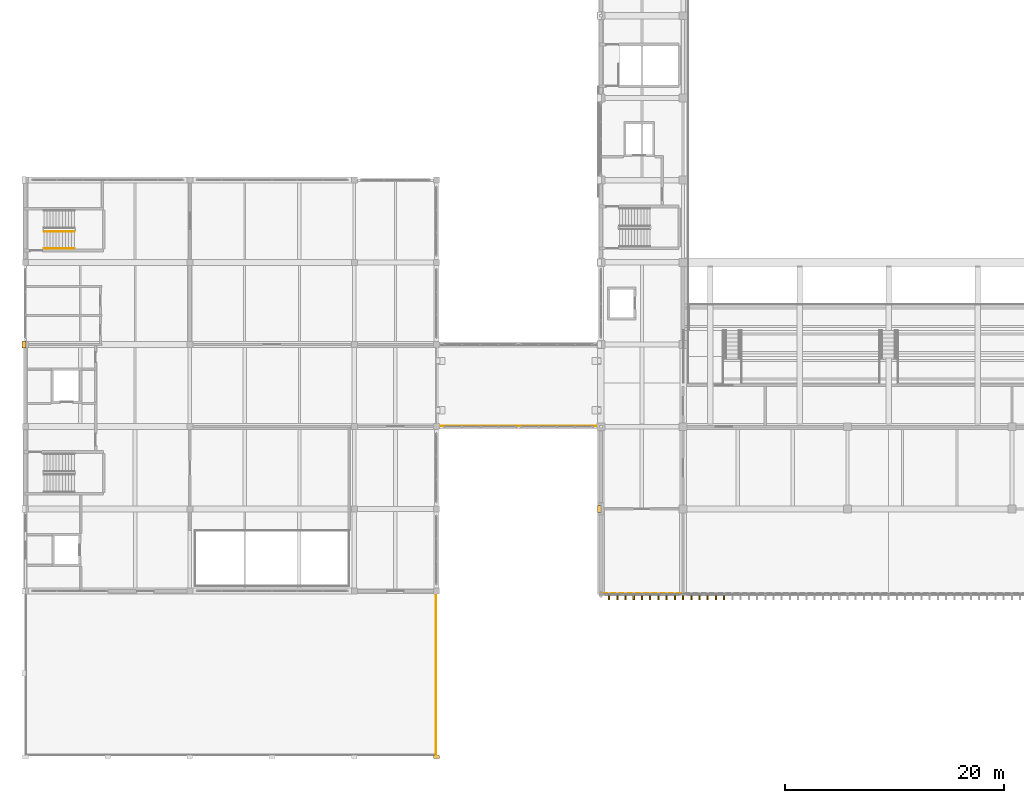
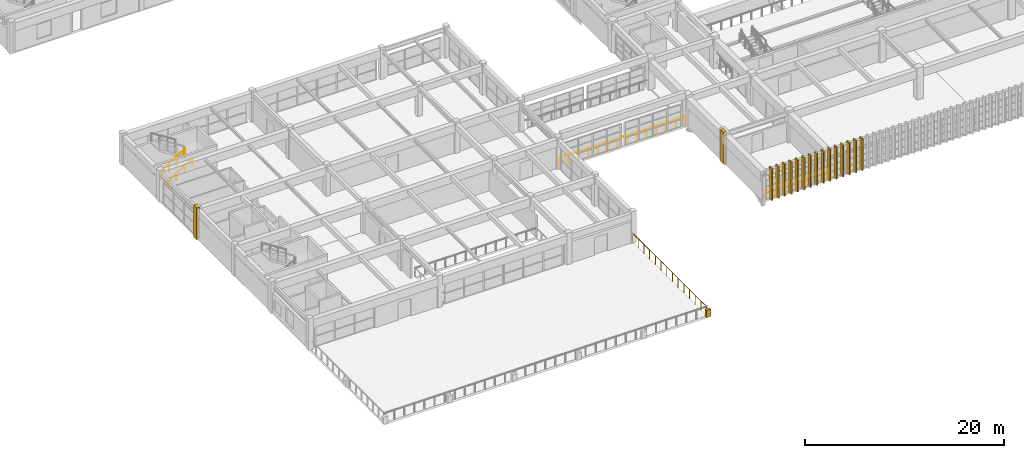
# One storey, part 91 of 101: 18 coverings, 5 railings.
"""IFC4 building model written with IfcOpenShell, lengths in metres."""

from ifc_helpers import new_model, si_unit, direction, frame, origin, origin_2d, place, context, subcontext, project, spatial, rectangle, circle, extrude, material, layer, layer_set, type_object, element, save


model = new_model("IFC4")

# Units and contexts
model_context = context("Model", 3, precision=1e-05, world=origin(), true_north=direction((0.0, 1.0)))
body_context = subcontext(model_context, "Body", "Model", "MODEL_VIEW")
ifc_project = project(units=[si_unit("LENGTHUNIT", "METRE"), si_unit("AREAUNIT", "SQUARE_METRE"), si_unit("VOLUMEUNIT", "CUBIC_METRE"), si_unit("PLANEANGLEUNIT", "RADIAN"), si_unit("MASSUNIT", "GRAM", prefix="KILO")], contexts=[model_context])

# Site, building, storey
site_placement = place(None, origin())
site = spatial("IfcSite", under=ifc_project, at=site_placement, CompositionType="ELEMENT")
building_placement = place(site_placement, origin())
building = spatial("IfcBuilding", under=site, at=building_placement, Name="Qasida Concert Hall", CompositionType="ELEMENT")
storey_placement = place(building_placement, frame((0.0, 0.0, 13.199951171875)))
storey = spatial("IfcBuildingStorey", under=building, at=storey_placement, Name="L03", CompositionType="ELEMENT", Elevation=13.199951171875)

# Coverings
ifc_material_1 = material(Name="Fluted ochre Lebanese limestone and patinated bronze fin", Category="masonry")
ifc_layer_1 = layer(ifc_material_1, 0.52001953125, Name="Fluted ochre Lebanese limestone and patinated bronze fin")
ifc_layer_set_1 = layer_set([ifc_layer_1], Name="Fluted ochre Lebanese limestone and patinated bronze fin")
covering_type_1 = type_object("IfcCoveringType", Name="CV-FIN-520", PredefinedType="CLADDING", material=ifc_layer_set_1)
for number, where, z_axis, x_axis, name in (
    (1, (53.25, 14.4599609375, 0.0), (0.0, 0.0, 1.0), (1.0, 0.0, 0.0), "L03 fluted facade fin FN-001"),
    (2, (54.0, 14.4599609375, 0.0), (0.0, 0.0, 1.0), (1.0, 0.0, 0.0), "L03 fluted facade fin FN-002"),
    (3, (54.75, 14.4599609375, 0.0), (0.0, 0.0, 1.0), (1.0, 0.0, 0.0), "L03 fluted facade fin FN-003"),
    (4, (55.5, 14.4599609375, 0.0), (0.0, 0.0, 1.0), (1.0, 0.0, 0.0), "L03 fluted facade fin FN-004"),
    (5, (56.25, 14.4599609375, 0.0), (0.0, 0.0, 1.0), (1.0, 0.0, 0.0), "L03 fluted facade fin FN-005"),
    (6, (57.0, 14.4599609375, 0.0), (0.0, 0.0, 1.0), (1.0, 0.0, 0.0), "L03 fluted facade fin FN-006"),
    (7, (57.75, 14.4599609375, 0.0), (0.0, 0.0, 1.0), (1.0, 0.0, 0.0), "L03 fluted facade fin FN-007"),
    (8, (58.5, 14.4599609375, 0.0), (0.0, 0.0, 1.0), (1.0, 0.0, 0.0), "L03 fluted facade fin FN-008"),
    (9, (59.25, 14.4599609375, 0.0), (0.0, 0.0, 1.0), (1.0, 0.0, 0.0), "L03 fluted facade fin FN-009"),
    (10, (60.0, 14.4599609375, 0.0), (0.0, 0.0, 1.0), (1.0, 0.0, 0.0), "L03 fluted facade fin FN-010"),
    (11, (60.75, 14.4599609375, 0.0), (0.0, 0.0, 1.0), (1.0, 0.0, 0.0), "L03 fluted facade fin FN-011"),
    (12, (61.5, 14.4599609375, 0.0), (0.0, 0.0, 1.0), (1.0, 0.0, 0.0), "L03 fluted facade fin FN-012"),
    (13, (62.25, 14.4599609375, 0.0), (0.0, 0.0, 1.0), (1.0, 0.0, 0.0), "L03 fluted facade fin FN-013"),
    (14, (63.0, 14.4599609375, 0.0), (0.0, 0.0, 1.0), (1.0, 0.0, 0.0), "L03 fluted facade fin FN-014"),
    (15, (63.75, 14.4599609375, 0.0), (0.0, 0.0, 1.0), (1.0, 0.0, 0.0), "L03 fluted facade fin FN-015"),
):
    element("IfcCovering", number, at=place(storey_placement, frame(where, z_axis=z_axis, x_axis=x_axis)), inside=storey, type_object=covering_type_1, Name=name, PredefinedType="CLADDING", context=body_context, shape_type="SweptSolid", body=[
        extrude(rectangle(XDim=0.139892578125, YDim=0.52001953125, at=origin_2d()), origin(), (0.0, 0.0, 1.0), 3.89990234375),
    ])
ifc_material_2 = material(Name="Projecting fluted Lebanese limestone Art Deco pilaster", Category="masonry")
ifc_layer_2 = layer(ifc_material_2, 0.35009765625, Name="Projecting fluted Lebanese limestone Art Deco pilaster")
ifc_layer_set_2 = layer_set([ifc_layer_2], Name="Projecting fluted Lebanese limestone Art Deco pilaster")
covering_type_2 = type_object("IfcCoveringType", Name="CV-PIL-650", PredefinedType="CLADDING", material=ifc_layer_set_2)
covering_1_placement = place(storey_placement, frame((52.364990234375, 22.5, 0.0), z_axis=(0.0, 0.0, 1.0), x_axis=(1.0, 0.0, 0.0)))
element("IfcCovering", 16, at=covering_1_placement, inside=storey, type_object=covering_type_2, Name="L03 fluted limestone pilaster 0004", PredefinedType="CLADDING", context=body_context, shape_type="SweptSolid", body=[
    extrude(rectangle(XDim=0.35009765625, YDim=0.64990234375, at=origin_2d()), origin(), (0.0, 0.0, 1.0), 3.89990234375),
])
covering_2_placement = place(storey_placement, frame((37.5, -0.135009765625, 0.0), z_axis=(0.0, 0.0, 1.0), x_axis=(1.0, 0.0, 0.0)))
element("IfcCovering", 17, at=covering_2_placement, inside=storey, type_object=covering_type_2, Name="Stepped Art Deco pier finial 0164", PredefinedType="CLADDING", context=body_context, shape_type="SweptSolid", body=[
    extrude(rectangle(XDim=0.52001953125, YDim=0.300048828125, at=origin_2d()), origin(), (0.0, 0.0, 1.0), 0.89990234375),
])
covering_3_placement = place(storey_placement, frame((-0.135009765625, 37.5, 0.0), z_axis=(0.0, 0.0, 1.0), x_axis=(1.0, 0.0, 0.0)))
element("IfcCovering", 18, at=covering_3_placement, inside=storey, type_object=covering_type_2, Name="L03 fluted limestone pilaster 0182", PredefinedType="CLADDING", context=body_context, shape_type="SweptSolid", body=[
    extrude(rectangle(XDim=0.35009765625, YDim=0.64990234375, at=origin_2d()), origin(), (0.0, 0.0, 1.0), 3.89990234375),
])

# Railings
ifc_material_3 = material(Name="Carved Lebanese limestone and bronze top rail", Category="masonry")
ifc_layer_3 = layer(ifc_material_3, 0.10009765625, Name="Carved Lebanese limestone and bronze top rail")
ifc_layer_set_3 = layer_set([ifc_layer_3], Name="Carved Lebanese limestone and bronze top rail")
railing_type_1 = type_object("IfcRailingType", Name="RL-BAL-1100", PredefinedType="BALUSTRADE", material=ifc_layer_set_3)
railing_1_placement = place(storey_placement, frame((37.449951171875, 0.050048828125, 0.0)))
element("IfcRailing", 19, at=railing_1_placement, inside=storey, type_object=railing_type_1, Name="L03 South terrace balustrade 0003", PredefinedType="BALUSTRADE", context=body_context, shape_type="SweptSolid", body=[
    extrude(circle(Radius=0.02392578125, at=origin_2d()), frame((0.0, 0.0, 1.09619140625), z_axis=(0.0, 1.0, 0.0), x_axis=(-1.0, 0.0, 0.0)), (0.0, 0.0, 1.0), 14.89990234375),
    extrude(circle(Radius=0.02099609375, at=origin_2d()), origin(), (0.0, 0.0, 1.0), 1.072021484375),
    extrude(circle(Radius=0.02099609375, at=origin_2d()), frame((0.0, 1.146240234375, 0.0)), (0.0, 0.0, 1.0), 1.072021484375),
    extrude(circle(Radius=0.02099609375, at=origin_2d()), frame((0.0, 2.292236328125, 0.0)), (0.0, 0.0, 1.0), 1.072021484375),
    extrude(circle(Radius=0.02099609375, at=origin_2d()), frame((0.0, 3.4384765625, 0.0)), (0.0, 0.0, 1.0), 1.072021484375),
    extrude(circle(Radius=0.02099609375, at=origin_2d()), frame((0.0, 4.58447265625, 0.0)), (0.0, 0.0, 1.0), 1.072021484375),
    extrude(circle(Radius=0.02099609375, at=origin_2d()), frame((0.0, 5.730712890625, 0.0)), (0.0, 0.0, 1.0), 1.072021484375),
    extrude(circle(Radius=0.02099609375, at=origin_2d()), frame((0.0, 6.876953125, 0.0)), (0.0, 0.0, 1.0), 1.072021484375),
    extrude(circle(Radius=0.02099609375, at=origin_2d()), frame((0.0, 8.02294921875, 0.0)), (0.0, 0.0, 1.0), 1.072021484375),
    extrude(circle(Radius=0.02099609375, at=origin_2d()), frame((0.0, 9.169189453125, 0.0)), (0.0, 0.0, 1.0), 1.072021484375),
    extrude(circle(Radius=0.02099609375, at=origin_2d()), frame((0.0, 10.3154296875, 0.0)), (0.0, 0.0, 1.0), 1.072021484375),
    extrude(circle(Radius=0.02099609375, at=origin_2d()), frame((0.0, 11.46142578125, 0.0)), (0.0, 0.0, 1.0), 1.072021484375),
    extrude(circle(Radius=0.02099609375, at=origin_2d()), frame((0.0, 12.607666015625, 0.0)), (0.0, 0.0, 1.0), 1.072021484375),
    extrude(circle(Radius=0.02099609375, at=origin_2d()), frame((0.0, 13.753662109375, 0.0)), (0.0, 0.0, 1.0), 1.072021484375),
    extrude(circle(Radius=0.02099609375, at=origin_2d()), frame((0.0, 14.89990234375, 0.0)), (0.0, 0.0, 1.0), 1.072021484375),
])
ifc_material_4 = material(Name="Patinated architectural bronze and laminated glass infill", Category="glass")
ifc_layer_4 = layer(ifc_material_4, 0.080078125, Name="Patinated architectural bronze and laminated glass infill")
ifc_layer_set_4 = layer_set([ifc_layer_4], Name="Patinated architectural bronze and laminated glass infill")
railing_type_2 = type_object("IfcRailingType", Name="RL-GRD-1100", PredefinedType="GUARDRAIL", material=ifc_layer_set_4)
railing_2_placement = place(storey_placement, frame((52.699951171875, 14.760009765625, 0.0)))
element("IfcRailing", 20, at=railing_2_placement, inside=storey, type_object=railing_type_2, Name="L03 South overhang west foyer guard 0017", PredefinedType="GUARDRAIL", context=body_context, shape_type="SweptSolid", body=[
    extrude(circle(Radius=0.02392578125, at=origin_2d()), frame((0.0, 0.0, 1.09619140625), z_axis=(1.0, 0.0, 0.0), x_axis=(0.0, 1.0, 0.0)), (0.0, 0.0, 1.0), 7.179931640625),
    extrude(circle(Radius=0.02099609375, at=origin_2d()), origin(), (0.0, 0.0, 1.0), 1.072021484375),
    extrude(circle(Radius=0.02099609375, at=origin_2d()), frame((1.19677734375, 0.0, 0.0)), (0.0, 0.0, 1.0), 1.072021484375),
    extrude(circle(Radius=0.02099609375, at=origin_2d()), frame((2.393310546875, 0.0, 0.0)), (0.0, 0.0, 1.0), 1.072021484375),
    extrude(circle(Radius=0.02099609375, at=origin_2d()), frame((3.58984375, 0.0, 0.0)), (0.0, 0.0, 1.0), 1.072021484375),
    extrude(circle(Radius=0.02099609375, at=origin_2d()), frame((4.78662109375, 0.0, 0.0)), (0.0, 0.0, 1.0), 1.072021484375),
    extrude(circle(Radius=0.02099609375, at=origin_2d()), frame((5.9833984375, 0.0, 0.0)), (0.0, 0.0, 1.0), 1.072021484375),
    extrude(circle(Radius=0.02099609375, at=origin_2d()), frame((7.179931640625, 0.0, 0.0)), (0.0, 0.0, 1.0), 1.072021484375),
])
railing_3_placement = place(storey_placement, frame((37.679931640625, 30.050048828125, 0.0)))
element("IfcRailing", 21, at=railing_3_placement, inside=storey, type_object=railing_type_2, Name="L03 Link bridge south guard 0028", PredefinedType="GUARDRAIL", context=body_context, shape_type="SweptSolid", body=[
    extrude(circle(Radius=0.02392578125, at=origin_2d()), frame((0.0, 0.0, 1.09619140625), z_axis=(1.0, 0.0, 0.0), x_axis=(0.0, 1.0, 0.0)), (0.0, 0.0, 1.0), 14.64013671875),
    extrude(circle(Radius=0.02099609375, at=origin_2d()), origin(), (0.0, 0.0, 1.0), 1.072021484375),
    extrude(circle(Radius=0.02099609375, at=origin_2d()), frame((1.126220703125, 0.0, 0.0)), (0.0, 0.0, 1.0), 1.072021484375),
    extrude(circle(Radius=0.02099609375, at=origin_2d()), frame((2.25244140625, 0.0, 0.0)), (0.0, 0.0, 1.0), 1.072021484375),
    extrude(circle(Radius=0.02099609375, at=origin_2d()), frame((3.37841796875, 0.0, 0.0)), (0.0, 0.0, 1.0), 1.072021484375),
    extrude(circle(Radius=0.02099609375, at=origin_2d()), frame((4.504638671875, 0.0, 0.0)), (0.0, 0.0, 1.0), 1.072021484375),
    extrude(circle(Radius=0.02099609375, at=origin_2d()), frame((5.630859375, 0.0, 0.0)), (0.0, 0.0, 1.0), 1.072021484375),
    extrude(circle(Radius=0.02099609375, at=origin_2d()), frame((6.757080078125, 0.0, 0.0)), (0.0, 0.0, 1.0), 1.072021484375),
    extrude(circle(Radius=0.02099609375, at=origin_2d()), frame((7.883056640625, 0.0, 0.0)), (0.0, 0.0, 1.0), 1.072021484375),
    extrude(circle(Radius=0.02099609375, at=origin_2d()), frame((9.00927734375, 0.0, 0.0)), (0.0, 0.0, 1.0), 1.072021484375),
    extrude(circle(Radius=0.02099609375, at=origin_2d()), frame((10.135498046875, 0.0, 0.0)), (0.0, 0.0, 1.0), 1.072021484375),
    extrude(circle(Radius=0.02099609375, at=origin_2d()), frame((11.26171875, 0.0, 0.0)), (0.0, 0.0, 1.0), 1.072021484375),
    extrude(circle(Radius=0.02099609375, at=origin_2d()), frame((12.3876953125, 0.0, 0.0)), (0.0, 0.0, 1.0), 1.072021484375),
    extrude(circle(Radius=0.02099609375, at=origin_2d()), frame((13.513916015625, 0.0, 0.0)), (0.0, 0.0, 1.0), 1.072021484375),
    extrude(circle(Radius=0.02099609375, at=origin_2d()), frame((14.64013671875, 0.0, 0.0)), (0.0, 0.0, 1.0), 1.072021484375),
])
railing_4_placement = place(storey_placement, frame((1.679931640625, 47.830078125, 0.17724609375)))
element("IfcRailing", 22, at=railing_4_placement, inside=storey, type_object=railing_type_2, Name="L03 ST-04 stair guard 1", PredefinedType="GUARDRAIL", context=body_context, shape_type="SweptSolid", body=[
    extrude(circle(Radius=0.02392578125, at=origin_2d()), frame((0.0, 0.0, 1.076171875), z_axis=(0.844908973607, 0.0, 0.534910110503), x_axis=(0.0, 1.0, 0.0)), (0.0, 0.0, 1.0), 3.31396484375),
    extrude(circle(Radius=0.02099609375, at=origin_2d()), origin(), (0.0, 0.0, 1.0), 1.052001953125),
    extrude(circle(Radius=0.02099609375, at=origin_2d()), frame((0.933349609375, 0.0, 0.5908203125)), (0.0, 0.0, 1.0), 1.052001953125),
    extrude(circle(Radius=0.02099609375, at=origin_2d()), frame((1.86669921875, 0.0, 1.181884765625)), (0.0, 0.0, 1.0), 1.052001953125),
    extrude(circle(Radius=0.02099609375, at=origin_2d()), frame((2.800048828125, 0.0, 1.772705078125)), (0.0, 0.0, 1.0), 1.052001953125),
])
ifc_material_5 = material(Name="Patinated tubular architectural bronze", Category="steel")
ifc_layer_5 = layer(ifc_material_5, 0.050048828125, Name="Patinated tubular architectural bronze")
ifc_layer_set_5 = layer_set([ifc_layer_5], Name="Patinated tubular architectural bronze")
railing_type_3 = type_object("IfcRailingType", Name="RL-HND-900", PredefinedType="HANDRAIL", material=ifc_layer_set_5)
railing_5_placement = place(storey_placement, frame((1.679931640625, 46.25, 0.17724609375)))
element("IfcRailing", 23, at=railing_5_placement, inside=storey, type_object=railing_type_3, Name="L03 ST-04 stair handrail 1", PredefinedType="HANDRAIL", context=body_context, shape_type="SweptSolid", body=[
    extrude(circle(Radius=0.02392578125, at=origin_2d()), frame((0.0, 0.0, 0.8759765625), z_axis=(0.844908973607, 0.0, 0.534910110503), x_axis=(0.0, 1.0, 0.0)), (0.0, 0.0, 1.0), 3.31396484375),
    extrude(circle(Radius=0.02099609375, at=origin_2d()), origin(), (0.0, 0.0, 1.0), 0.851806640625),
    extrude(circle(Radius=0.02099609375, at=origin_2d()), frame((0.933349609375, 0.0, 0.5908203125)), (0.0, 0.0, 1.0), 0.851806640625),
    extrude(circle(Radius=0.02099609375, at=origin_2d()), frame((1.86669921875, 0.0, 1.181884765625)), (0.0, 0.0, 1.0), 0.851806640625),
    extrude(circle(Radius=0.02099609375, at=origin_2d()), frame((2.800048828125, 0.0, 1.772705078125)), (0.0, 0.0, 1.0), 0.851806640625),
])

save(model, "model.ifc")
